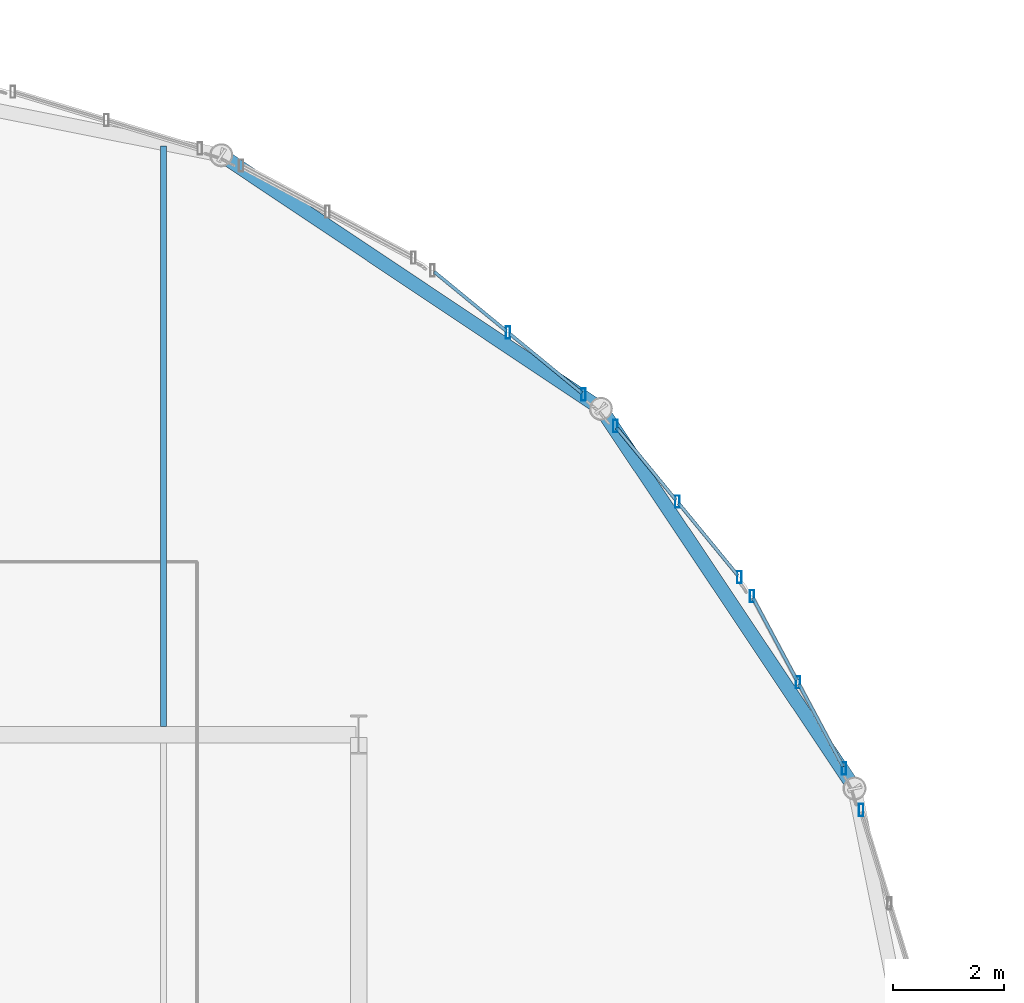
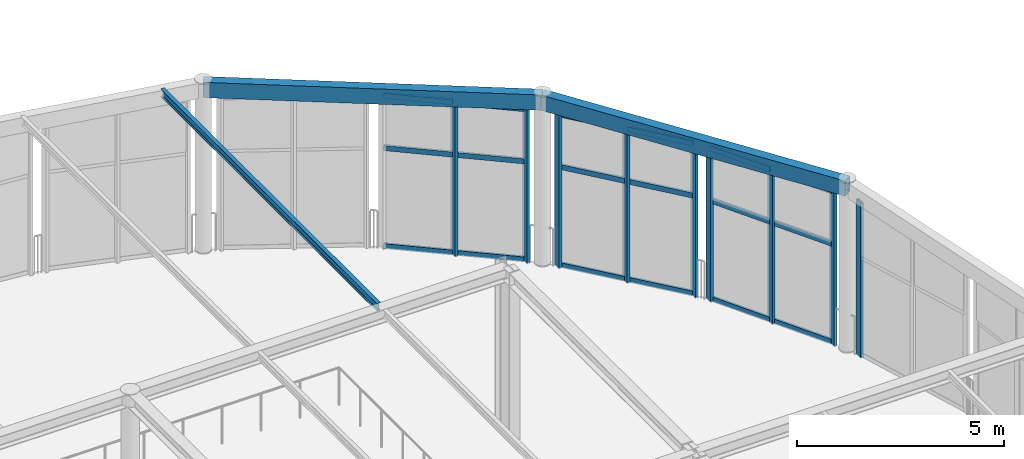
# One storey, part 58 of 195: 27 members, 3 beams, 4 elements without a shape of their own.
"""IFC4 building model written with IfcOpenShell, lengths in metres."""

from ifc_helpers import new_model, si_unit, direction, frame, origin, origin_2d, place, context, subcontext, project, spatial, hollow_rectangle, i_section, extrude, material, layer, layer_set, material_profile, profile_set, type_object, element, aggregate, save


model = new_model("IFC4")

# Units and contexts
model_context = context("Model", 3, precision=1e-05, world=origin(), true_north=direction((0.0, 1.0)))
body_context = subcontext(model_context, "Body", "Model", "MODEL_VIEW")
ifc_project = project(units=[si_unit("LENGTHUNIT", "METRE"), si_unit("AREAUNIT", "SQUARE_METRE"), si_unit("VOLUMEUNIT", "CUBIC_METRE"), si_unit("PLANEANGLEUNIT", "RADIAN"), si_unit("MASSUNIT", "GRAM", prefix="KILO")], contexts=[model_context])

# Site, building, storey
site_placement = place(None, origin())
site = spatial("IfcSite", under=ifc_project, at=site_placement, CompositionType="ELEMENT")
building_placement = place(site_placement, origin())
building = spatial("IfcBuilding", under=site, at=building_placement, Name="Marlcrest Central Station", CompositionType="ELEMENT")
storey_placement = place(building_placement, frame((0.0, 0.0, 9.800048828125)))
storey = spatial("IfcBuildingStorey", under=building, at=storey_placement, Name="L02", CompositionType="ELEMENT", Elevation=9.800048828125)

# Beam
ifc_material_1 = material(Name="Steel S355", Category="steel")
ifc_material_profile_1 = material_profile(ifc_material_1, i_section(OverallWidth=0.110107421875, OverallDepth=0.219970703125, WebThickness=0.005859375, FlangeThickness=0.00927734375, FilletRadius=0.011962890625, at=origin_2d()), Name="IPE 220")
ifc_profile_set_1 = profile_set([ifc_material_profile_1], Name="Steel S355")
beam_type_1 = type_object("IfcBeamType", Name="JS-02", PredefinedType="JOIST", material=ifc_profile_set_1)
beam_placement = place(storey_placement, frame((115.0, 119.64794921875, 4.885009765625), z_axis=(0.0, 1.0, 0.0), x_axis=(-1.0, 0.0, 0.0)))
element("IfcBeam", 1, at=beam_placement, inside=storey, type_object=beam_type_1, Name="bm-JS-02-L02-01498", PredefinedType="JOIST", context=body_context, shape_type="SweptSolid", body=[
    extrude(i_section(OverallWidth=0.110107421875, OverallDepth=0.219970703125, WebThickness=0.005859375, FlangeThickness=0.00927734375, FilletRadius=0.011962890625, at=origin_2d()), origin(), (0.0, 0.0, 1.0), 10.419189453125),
])

# Curtain wall, members
ifc_material_2 = material(Name="Anodised aluminium and hurricane laminated glass", Category="aluminium")
ifc_layer = layer(ifc_material_2, 0.219970703125, Name="CW-U1")
ifc_layer_set = layer_set([ifc_layer], Name="Anodised aluminium and hurricane laminated glass")
curtain_wall_type = type_object("IfcCurtainWallType", Name="CW-U1", PredefinedType="USERDEFINED", material=ifc_layer_set)
curtain_wall_1_placement = place(storey_placement, origin())
curtain_wall_1 = element("IfcCurtainWall", 2, at=curtain_wall_1_placement, inside=storey, type_object=curtain_wall_type, Name="cw-L02-0078", ObjectType="UNITISED_CURTAIN_WALL", PredefinedType="USERDEFINED")
ifc_material_3 = material(Name="Anodised aluminium 6063-T6", Category="aluminium")
ifc_material_profile_2 = material_profile(ifc_material_3, hollow_rectangle(XDim=0.080078125, YDim=0.219970703125, WallThickness=0.006103515625, at=origin_2d()), Name="AA-RHS 220x80x6")
ifc_profile_set_2 = profile_set([ifc_material_profile_2], Name="Anodised aluminium 6063-T6")
member_type_1 = type_object("IfcMemberType", Name="ML-01", PredefinedType="MULLION", material=ifc_profile_set_2)
member_1_placement = place(storey_placement, frame((121.181396484375, 126.718017578125, -0.030029296875), z_axis=(0.0, 0.0, 1.0), x_axis=(1.0, 0.0, 0.0)))
member_1 = element("IfcMember", 3, at=member_1_placement, type_object=member_type_1, Name="cw-L02-0078-ml-1", PredefinedType="MULLION", context=body_context, shape_type="SweptSolid", body=[
    extrude(hollow_rectangle(XDim=0.080078125, YDim=0.219970703125, WallThickness=0.006103515625, at=origin_2d()), origin(), (0.0, 0.0, 1.0), 4.56005859375),
])
member_2_placement = place(storey_placement, frame((122.53662109375, 125.60546875, -0.030029296875), z_axis=(0.0, 0.0, 1.0), x_axis=(1.0, 0.0, 0.0)))
member_2 = element("IfcMember", 4, at=member_2_placement, type_object=member_type_1, Name="cw-L02-0078-ml-2", PredefinedType="MULLION", context=body_context, shape_type="SweptSolid", body=[
    extrude(hollow_rectangle(XDim=0.080078125, YDim=0.219970703125, WallThickness=0.006103515625, at=origin_2d()), origin(), (0.0, 0.0, 1.0), 4.56005859375),
])

curtain_wall_2_placement = place(storey_placement, origin())
curtain_wall_2 = element("IfcCurtainWall", 5, at=curtain_wall_2_placement, inside=storey, type_object=curtain_wall_type, Name="cw-L02-0079", ObjectType="UNITISED_CURTAIN_WALL", PredefinedType="USERDEFINED")
member_3_placement = place(storey_placement, frame((123.10546875, 125.03662109375, -0.030029296875), z_axis=(0.0, 0.0, 1.0), x_axis=(1.0, 0.0, 0.0)))
member_3 = element("IfcMember", 6, at=member_3_placement, type_object=member_type_1, Name="cw-L02-0079-ml-0", PredefinedType="MULLION", context=body_context, shape_type="SweptSolid", body=[
    extrude(hollow_rectangle(XDim=0.080078125, YDim=0.219970703125, WallThickness=0.006103515625, at=origin_2d()), origin(), (0.0, 0.0, 1.0), 4.56005859375),
])
member_4_placement = place(storey_placement, frame((124.218017578125, 123.681396484375, -0.030029296875), z_axis=(0.0, 0.0, 1.0), x_axis=(1.0, 0.0, 0.0)))
member_4 = element("IfcMember", 7, at=member_4_placement, type_object=member_type_1, Name="cw-L02-0079-ml-1", PredefinedType="MULLION", context=body_context, shape_type="SweptSolid", body=[
    extrude(hollow_rectangle(XDim=0.080078125, YDim=0.219970703125, WallThickness=0.006103515625, at=origin_2d()), origin(), (0.0, 0.0, 1.0), 4.56005859375),
])
member_5_placement = place(storey_placement, frame((125.330322265625, 122.326171875, -0.030029296875), z_axis=(0.0, 0.0, 1.0), x_axis=(1.0, 0.0, 0.0)))
member_5 = element("IfcMember", 8, at=member_5_placement, type_object=member_type_1, Name="cw-L02-0079-ml-2", PredefinedType="MULLION", context=body_context, shape_type="SweptSolid", body=[
    extrude(hollow_rectangle(XDim=0.080078125, YDim=0.219970703125, WallThickness=0.006103515625, at=origin_2d()), origin(), (0.0, 0.0, 1.0), 4.56005859375),
])

curtain_wall_3_placement = place(storey_placement, origin())
curtain_wall_3 = element("IfcCurtainWall", 9, at=curtain_wall_3_placement, inside=storey, type_object=curtain_wall_type, Name="cw-L02-0080", ObjectType="UNITISED_CURTAIN_WALL", PredefinedType="USERDEFINED")
member_6_placement = place(storey_placement, frame((125.55810546875, 121.985595703125, -0.030029296875), z_axis=(0.0, 0.0, 1.0), x_axis=(1.0, 0.0, 0.0)))
member_6 = element("IfcMember", 10, at=member_6_placement, type_object=member_type_1, Name="cw-L02-0080-ml-0", PredefinedType="MULLION", context=body_context, shape_type="SweptSolid", body=[
    extrude(hollow_rectangle(XDim=0.080078125, YDim=0.219970703125, WallThickness=0.006103515625, at=origin_2d()), origin(), (0.0, 0.0, 1.0), 4.56005859375),
])
member_7_placement = place(storey_placement, frame((126.38427734375, 120.43896484375, -0.030029296875), z_axis=(0.0, 0.0, 1.0), x_axis=(1.0, 0.0, 0.0)))
member_7 = element("IfcMember", 11, at=member_7_placement, type_object=member_type_1, Name="cw-L02-0080-ml-1", PredefinedType="MULLION", context=body_context, shape_type="SweptSolid", body=[
    extrude(hollow_rectangle(XDim=0.080078125, YDim=0.219970703125, WallThickness=0.006103515625, at=origin_2d()), origin(), (0.0, 0.0, 1.0), 4.56005859375),
])
member_8_placement = place(storey_placement, frame((127.210693359375, 118.892333984375, -0.030029296875), z_axis=(0.0, 0.0, 1.0), x_axis=(1.0, 0.0, 0.0)))
member_8 = element("IfcMember", 12, at=member_8_placement, type_object=member_type_1, Name="cw-L02-0080-ml-2", PredefinedType="MULLION", context=body_context, shape_type="SweptSolid", body=[
    extrude(hollow_rectangle(XDim=0.080078125, YDim=0.219970703125, WallThickness=0.006103515625, at=origin_2d()), origin(), (0.0, 0.0, 1.0), 4.56005859375),
])

# Curtain wall, member
curtain_wall_4_placement = place(storey_placement, origin())
curtain_wall_4 = element("IfcCurtainWall", 13, at=curtain_wall_4_placement, inside=storey, type_object=curtain_wall_type, Name="cw-L02-0081", ObjectType="UNITISED_CURTAIN_WALL", PredefinedType="USERDEFINED")
member_9_placement = place(storey_placement, frame((127.518310546875, 118.1494140625, -0.030029296875), z_axis=(0.0, 0.0, 1.0), x_axis=(1.0, 0.0, 0.0)))
member_9 = element("IfcMember", 14, at=member_9_placement, type_object=member_type_1, Name="cw-L02-0081-ml-0", PredefinedType="MULLION", context=body_context, shape_type="SweptSolid", body=[
    extrude(hollow_rectangle(XDim=0.080078125, YDim=0.219970703125, WallThickness=0.006103515625, at=origin_2d()), origin(), (0.0, 0.0, 1.0), 4.56005859375),
])
aggregate(curtain_wall_4, [member_9])

# Beams
ifc_material_profile_3 = material_profile(ifc_material_1, hollow_rectangle(XDim=0.25, YDim=0.449951171875, WallThickness=0.01611328125, at=origin_2d()), Name="RHS 450x250x16")
ifc_profile_set_3 = profile_set([ifc_material_profile_3], Name="Steel S355")
beam_type_2 = type_object("IfcBeamType", Name="SP-02", PredefinedType="SPANDREL", material=ifc_profile_set_3)
for number, where, z_axis, x_axis, name in (
    (15, (116.035888671875, 129.90087890625, 4.77001953125), (0.831508991937, -0.55551129271, 0.0), (0.55551129271, 0.831508991937, 0.0), "bm-SP-02-L02-01482"),
    (16, (122.84912109375, 125.34912109375, 4.77001953125), (0.55551129271, -0.831508991937, 0.0), (0.831508991937, 0.55551129271, 0.0), "bm-SP-02-L02-01483"),
):
    element("IfcBeam", number, at=place(storey_placement, frame(where, z_axis=z_axis, x_axis=x_axis)), inside=storey, type_object=beam_type_2, Name=name, PredefinedType="SPANDREL", context=body_context, shape_type="SweptSolid", body=[
        extrude(hollow_rectangle(XDim=0.25, YDim=0.449951171875, WallThickness=0.01611328125, at=origin_2d()), origin(), (0.0, 0.0, 1.0), 8.19384765625),
    ])

# Member
ifc_material_profile_4 = material_profile(ifc_material_3, hollow_rectangle(XDim=0.06005859375, YDim=0.14990234375, WallThickness=0.00390625, at=origin_2d()), Name="AA-RHS 150x60x4")
ifc_profile_set_4 = profile_set([ifc_material_profile_4], Name="Anodised aluminium 6063-T6")
member_type_2 = type_object("IfcMemberType", Name="TR-01", PredefinedType="USERDEFINED", material=ifc_profile_set_4)
member_10_placement = place(storey_placement, frame((119.85546875, 127.806396484375, 0.0400390625), z_axis=(0.772912318539, -0.634512842936, 0.0), x_axis=(0.634512842936, 0.772912318539, 0.0)))
member_10 = element("IfcMember", 17, at=member_10_placement, type_object=member_type_2, Name="cw-L02-0078-tr-0-sill", ObjectType="TRANSOM", PredefinedType="USERDEFINED", context=body_context, shape_type="SweptSolid", body=[
    extrude(hollow_rectangle(XDim=0.06005859375, YDim=0.14990234375, WallThickness=0.00390625, at=origin_2d()), origin(), (0.0, 0.0, 1.0), 1.677490234375),
])

member_11_placement = place(storey_placement, frame((119.85546875, 127.806396484375, 2.925048828125), z_axis=(0.772912318539, -0.634512842936, 0.0), x_axis=(0.634512842936, 0.772912318539, 0.0)))
member_11 = element("IfcMember", 18, at=member_11_placement, type_object=member_type_2, Name="cw-L02-0078-tr-0-mid", ObjectType="TRANSOM", PredefinedType="USERDEFINED", context=body_context, shape_type="SweptSolid", body=[
    extrude(hollow_rectangle(XDim=0.06005859375, YDim=0.14990234375, WallThickness=0.00390625, at=origin_2d()), origin(), (0.0, 0.0, 1.0), 1.677490234375),
])

member_12_placement = place(storey_placement, frame((119.85546875, 127.806396484375, 4.4599609375), z_axis=(0.772912318539, -0.634512842936, 0.0), x_axis=(0.634512842936, 0.772912318539, 0.0)))
member_12 = element("IfcMember", 19, at=member_12_placement, type_object=member_type_2, Name="cw-L02-0078-tr-0-head", ObjectType="TRANSOM", PredefinedType="USERDEFINED", context=body_context, shape_type="SweptSolid", body=[
    extrude(hollow_rectangle(XDim=0.06005859375, YDim=0.14990234375, WallThickness=0.00390625, at=origin_2d()), origin(), (0.0, 0.0, 1.0), 1.677490234375),
])

member_13_placement = place(storey_placement, frame((121.210693359375, 126.69384765625, 0.0400390625), z_axis=(0.772912318539, -0.634512842936, 0.0), x_axis=(0.634512842936, 0.772912318539, 0.0)))
member_13 = element("IfcMember", 20, at=member_13_placement, type_object=member_type_2, Name="cw-L02-0078-tr-1-sill", ObjectType="TRANSOM", PredefinedType="USERDEFINED", context=body_context, shape_type="SweptSolid", body=[
    extrude(hollow_rectangle(XDim=0.06005859375, YDim=0.14990234375, WallThickness=0.00390625, at=origin_2d()), origin(), (0.0, 0.0, 1.0), 1.677490234375),
])

member_14_placement = place(storey_placement, frame((121.210693359375, 126.69384765625, 2.925048828125), z_axis=(0.772912318539, -0.634512842936, 0.0), x_axis=(0.634512842936, 0.772912318539, 0.0)))
member_14 = element("IfcMember", 21, at=member_14_placement, type_object=member_type_2, Name="cw-L02-0078-tr-1-mid", ObjectType="TRANSOM", PredefinedType="USERDEFINED", context=body_context, shape_type="SweptSolid", body=[
    extrude(hollow_rectangle(XDim=0.06005859375, YDim=0.14990234375, WallThickness=0.00390625, at=origin_2d()), origin(), (0.0, 0.0, 1.0), 1.677490234375),
])

member_15_placement = place(storey_placement, frame((121.210693359375, 126.69384765625, 4.4599609375), z_axis=(0.772912318539, -0.634512842936, 0.0), x_axis=(0.634512842936, 0.772912318539, 0.0)))
member_15 = element("IfcMember", 22, at=member_15_placement, type_object=member_type_2, Name="cw-L02-0078-tr-1-head", ObjectType="TRANSOM", PredefinedType="USERDEFINED", context=body_context, shape_type="SweptSolid", body=[
    extrude(hollow_rectangle(XDim=0.06005859375, YDim=0.14990234375, WallThickness=0.00390625, at=origin_2d()), origin(), (0.0, 0.0, 1.0), 1.677490234375),
])

aggregate(curtain_wall_1, [member_1, member_2, member_10, member_11, member_12, member_13, member_14, member_15])

member_16_placement = place(storey_placement, frame((123.12939453125, 125.00732421875, 0.0400390625), z_axis=(0.634512842936, -0.772912318539, 0.0), x_axis=(0.772912318539, 0.634512842936, 0.0)))
member_16 = element("IfcMember", 23, at=member_16_placement, type_object=member_type_2, Name="cw-L02-0079-tr-0-sill", ObjectType="TRANSOM", PredefinedType="USERDEFINED", context=body_context, shape_type="SweptSolid", body=[
    extrude(hollow_rectangle(XDim=0.06005859375, YDim=0.14990234375, WallThickness=0.00390625, at=origin_2d()), origin(), (0.0, 0.0, 1.0), 1.677490234375),
])

member_17_placement = place(storey_placement, frame((123.12939453125, 125.00732421875, 2.925048828125), z_axis=(0.634512842936, -0.772912318539, 0.0), x_axis=(0.772912318539, 0.634512842936, 0.0)))
member_17 = element("IfcMember", 24, at=member_17_placement, type_object=member_type_2, Name="cw-L02-0079-tr-0-mid", ObjectType="TRANSOM", PredefinedType="USERDEFINED", context=body_context, shape_type="SweptSolid", body=[
    extrude(hollow_rectangle(XDim=0.06005859375, YDim=0.14990234375, WallThickness=0.00390625, at=origin_2d()), origin(), (0.0, 0.0, 1.0), 1.677490234375),
])

member_18_placement = place(storey_placement, frame((123.12939453125, 125.00732421875, 4.4599609375), z_axis=(0.634512842936, -0.772912318539, 0.0), x_axis=(0.772912318539, 0.634512842936, 0.0)))
member_18 = element("IfcMember", 25, at=member_18_placement, type_object=member_type_2, Name="cw-L02-0079-tr-0-head", ObjectType="TRANSOM", PredefinedType="USERDEFINED", context=body_context, shape_type="SweptSolid", body=[
    extrude(hollow_rectangle(XDim=0.06005859375, YDim=0.14990234375, WallThickness=0.00390625, at=origin_2d()), origin(), (0.0, 0.0, 1.0), 1.677490234375),
])

member_19_placement = place(storey_placement, frame((124.241943359375, 123.652099609375, 0.0400390625), z_axis=(0.634512842936, -0.772912318539, 0.0), x_axis=(0.772912318539, 0.634512842936, 0.0)))
member_19 = element("IfcMember", 26, at=member_19_placement, type_object=member_type_2, Name="cw-L02-0079-tr-1-sill", ObjectType="TRANSOM", PredefinedType="USERDEFINED", context=body_context, shape_type="SweptSolid", body=[
    extrude(hollow_rectangle(XDim=0.06005859375, YDim=0.14990234375, WallThickness=0.00390625, at=origin_2d()), origin(), (0.0, 0.0, 1.0), 1.677490234375),
])

member_20_placement = place(storey_placement, frame((124.241943359375, 123.652099609375, 2.925048828125), z_axis=(0.634512842936, -0.772912318539, 0.0), x_axis=(0.772912318539, 0.634512842936, 0.0)))
member_20 = element("IfcMember", 27, at=member_20_placement, type_object=member_type_2, Name="cw-L02-0079-tr-1-mid", ObjectType="TRANSOM", PredefinedType="USERDEFINED", context=body_context, shape_type="SweptSolid", body=[
    extrude(hollow_rectangle(XDim=0.06005859375, YDim=0.14990234375, WallThickness=0.00390625, at=origin_2d()), origin(), (0.0, 0.0, 1.0), 1.677490234375),
])

member_21_placement = place(storey_placement, frame((124.241943359375, 123.652099609375, 4.4599609375), z_axis=(0.634512842936, -0.772912318539, 0.0), x_axis=(0.772912318539, 0.634512842936, 0.0)))
member_21 = element("IfcMember", 28, at=member_21_placement, type_object=member_type_2, Name="cw-L02-0079-tr-1-head", ObjectType="TRANSOM", PredefinedType="USERDEFINED", context=body_context, shape_type="SweptSolid", body=[
    extrude(hollow_rectangle(XDim=0.06005859375, YDim=0.14990234375, WallThickness=0.00390625, at=origin_2d()), origin(), (0.0, 0.0, 1.0), 1.677490234375),
])

aggregate(curtain_wall_2, [member_3, member_4, member_5, member_16, member_17, member_18, member_19, member_20, member_21])

member_22_placement = place(storey_placement, frame((125.575927734375, 121.951904296875, 0.0400390625), z_axis=(0.47126796736, -0.881990080976, 0.0), x_axis=(0.881990080976, 0.47126796736, 0.0)))
member_22 = element("IfcMember", 29, at=member_22_placement, type_object=member_type_2, Name="cw-L02-0080-tr-0-sill", ObjectType="TRANSOM", PredefinedType="USERDEFINED", context=body_context, shape_type="SweptSolid", body=[
    extrude(hollow_rectangle(XDim=0.06005859375, YDim=0.14990234375, WallThickness=0.00390625, at=origin_2d()), origin(), (0.0, 0.0, 1.0), 1.677490234375),
])

member_23_placement = place(storey_placement, frame((125.575927734375, 121.951904296875, 2.925048828125), z_axis=(0.47126796736, -0.881990080976, 0.0), x_axis=(0.881990080976, 0.47126796736, 0.0)))
member_23 = element("IfcMember", 30, at=member_23_placement, type_object=member_type_2, Name="cw-L02-0080-tr-0-mid", ObjectType="TRANSOM", PredefinedType="USERDEFINED", context=body_context, shape_type="SweptSolid", body=[
    extrude(hollow_rectangle(XDim=0.06005859375, YDim=0.14990234375, WallThickness=0.00390625, at=origin_2d()), origin(), (0.0, 0.0, 1.0), 1.677490234375),
])

member_24_placement = place(storey_placement, frame((125.575927734375, 121.951904296875, 4.4599609375), z_axis=(0.47126796736, -0.881990080976, 0.0), x_axis=(0.881990080976, 0.47126796736, 0.0)))
member_24 = element("IfcMember", 31, at=member_24_placement, type_object=member_type_2, Name="cw-L02-0080-tr-0-head", ObjectType="TRANSOM", PredefinedType="USERDEFINED", context=body_context, shape_type="SweptSolid", body=[
    extrude(hollow_rectangle(XDim=0.06005859375, YDim=0.14990234375, WallThickness=0.00390625, at=origin_2d()), origin(), (0.0, 0.0, 1.0), 1.677490234375),
])

member_25_placement = place(storey_placement, frame((126.402099609375, 120.405517578125, 0.0400390625), z_axis=(0.471207478568, -0.882022398889, 0.0), x_axis=(0.882022398889, 0.471207478568, 0.0)))
member_25 = element("IfcMember", 32, at=member_25_placement, type_object=member_type_2, Name="cw-L02-0080-tr-1-sill", ObjectType="TRANSOM", PredefinedType="USERDEFINED", context=body_context, shape_type="SweptSolid", body=[
    extrude(hollow_rectangle(XDim=0.06005859375, YDim=0.14990234375, WallThickness=0.00390625, at=origin_2d()), origin(), (0.0, 0.0, 1.0), 1.677734375),
])

member_26_placement = place(storey_placement, frame((126.402099609375, 120.405517578125, 2.925048828125), z_axis=(0.471207478568, -0.882022398889, 0.0), x_axis=(0.882022398889, 0.471207478568, 0.0)))
member_26 = element("IfcMember", 33, at=member_26_placement, type_object=member_type_2, Name="cw-L02-0080-tr-1-mid", ObjectType="TRANSOM", PredefinedType="USERDEFINED", context=body_context, shape_type="SweptSolid", body=[
    extrude(hollow_rectangle(XDim=0.06005859375, YDim=0.14990234375, WallThickness=0.00390625, at=origin_2d()), origin(), (0.0, 0.0, 1.0), 1.677734375),
])

member_27_placement = place(storey_placement, frame((126.402099609375, 120.405517578125, 4.4599609375), z_axis=(0.471207478568, -0.882022398889, 0.0), x_axis=(0.882022398889, 0.471207478568, 0.0)))
member_27 = element("IfcMember", 34, at=member_27_placement, type_object=member_type_2, Name="cw-L02-0080-tr-1-head", ObjectType="TRANSOM", PredefinedType="USERDEFINED", context=body_context, shape_type="SweptSolid", body=[
    extrude(hollow_rectangle(XDim=0.06005859375, YDim=0.14990234375, WallThickness=0.00390625, at=origin_2d()), origin(), (0.0, 0.0, 1.0), 1.677734375),
])

aggregate(curtain_wall_3, [member_6, member_7, member_8, member_22, member_23, member_24, member_25, member_26, member_27])

save(model, "model.ifc")
